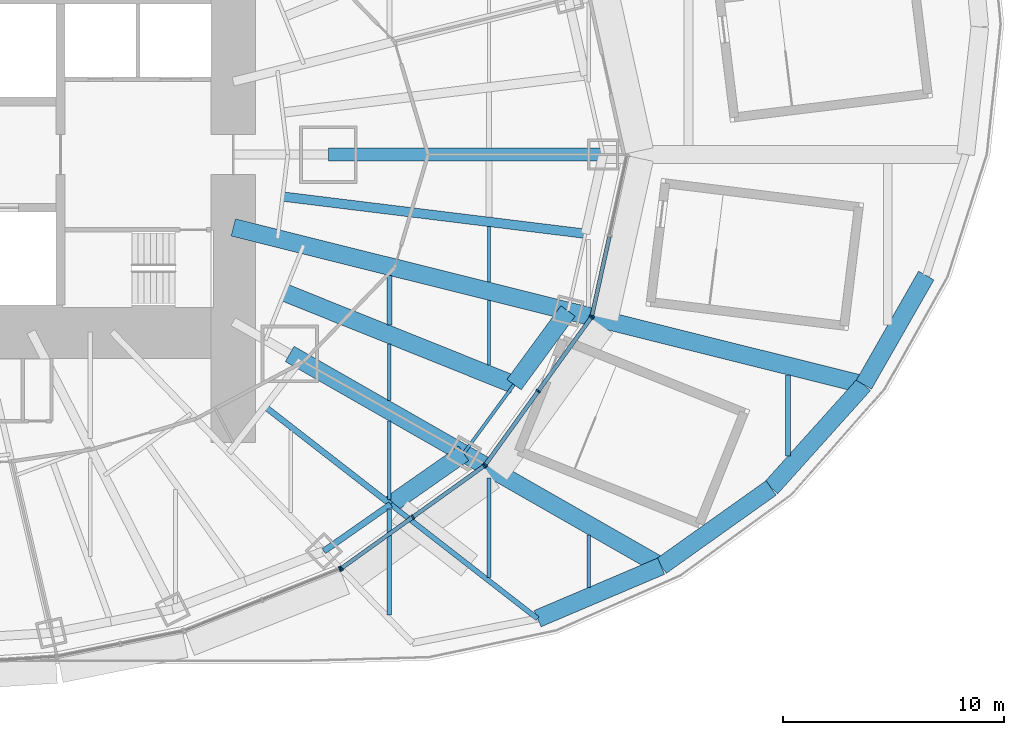
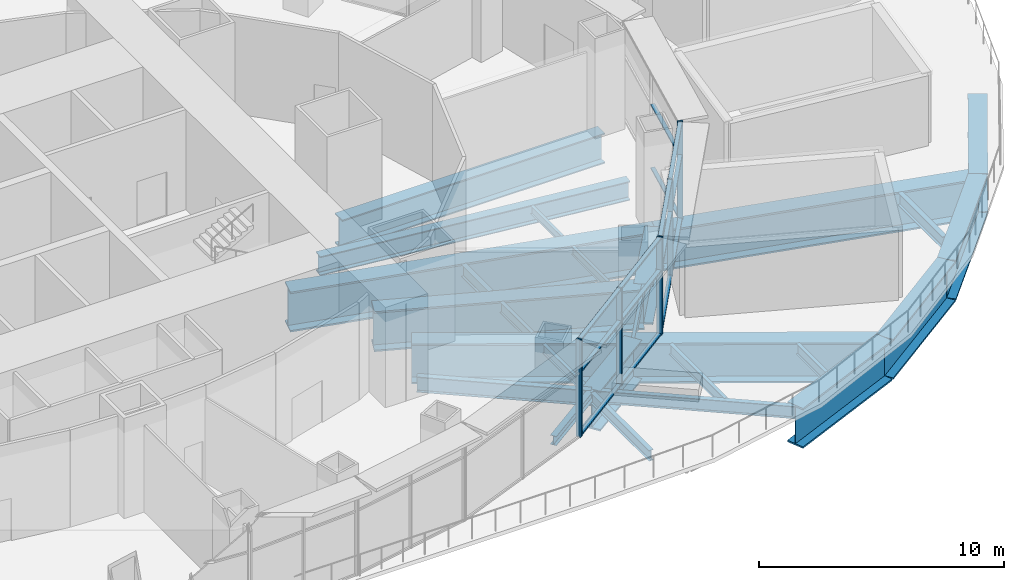
# One storey, part 10 of 25: 26 beams, 22 members, 4 elements without a shape of their own.
"""IFC4 building model written with IfcOpenShell, lengths in metres."""

from ifc_helpers import new_model, si_unit, direction, frame, origin, origin_2d, place, context, subcontext, project, spatial, rectangle, i_section, extrude, material, material_profile, profile_set, type_object, element, aggregate, save


model = new_model("IFC4")

# Units and contexts
model_context = context("Model", 3, precision=1e-05, world=origin(), true_north=direction((0.0, 1.0)))
body_context = subcontext(model_context, "Body", "Model", "MODEL_VIEW")
ifc_project = project(units=[si_unit("LENGTHUNIT", "METRE"), si_unit("AREAUNIT", "SQUARE_METRE"), si_unit("VOLUMEUNIT", "CUBIC_METRE"), si_unit("PLANEANGLEUNIT", "RADIAN"), si_unit("MASSUNIT", "GRAM", prefix="KILO")], contexts=[model_context])

# Site, building, storey
site_placement = place(None, origin())
site = spatial("IfcSite", under=ifc_project, at=site_placement, CompositionType="ELEMENT")
building_placement = place(site_placement, origin())
building = spatial("IfcBuilding", under=site, at=building_placement, Name="Lantaw Convention Tower", CompositionType="ELEMENT")
storey_placement = place(building_placement, frame((0.0, 0.0, 32.0)))
storey = spatial("IfcBuildingStorey", under=building, at=storey_placement, Name="L05", CompositionType="ELEMENT", Elevation=32.0)

# Beams
ifc_material_1 = material(Name="Steel ASTM A572 Grade 50", Category="steel")
ifc_material_profile_1 = material_profile(ifc_material_1, i_section(OverallWidth=0.800048828125, OverallDepth=2.0, WebThickness=0.030029296875, FlangeThickness=0.080078125, at=origin_2d()), Name="PG2000X800X30X80")
ifc_profile_set_1 = profile_set([ifc_material_profile_1], Name="Steel ASTM A572 Grade 50")
beam_type_1 = type_object("IfcBeamType", Name="Beam E PG2000X800X30X80", PredefinedType="SPANDREL", material=ifc_profile_set_1)
beam_1_placement = place(storey_placement, frame((20.308837890625, -15.794189453125, -1.199951171875), z_axis=(0.81942291701, 0.57318939547, 0.0), x_axis=(-0.57318939547, 0.81942291701, 0.0)))
element("IfcBeam", 1, at=beam_1_placement, inside=storey, type_object=beam_type_1, Name="Edge beam 22", PredefinedType="SPANDREL", context=body_context, shape_type="SweptSolid", body=[
    extrude(i_section(OverallWidth=0.800048828125, OverallDepth=2.0, WebThickness=0.030029296875, FlangeThickness=0.080078125, at=origin_2d()), origin(), (0.0, 0.0, 1.0), 4.0224609375),
])
beam_2_placement = place(storey_placement, frame((25.8779296875, -10.388427734375, -1.199951171875), z_axis=(0.591255937291, 0.806483984105, 0.0), x_axis=(-0.806483984105, 0.591255937291, 0.0)))
element("IfcBeam", 2, at=beam_2_placement, inside=storey, type_object=beam_type_1, Name="Edge beam 23", PredefinedType="SPANDREL", context=body_context, shape_type="SweptSolid", body=[
    extrude(i_section(OverallWidth=0.800048828125, OverallDepth=2.0, WebThickness=0.030029296875, FlangeThickness=0.080078125, at=origin_2d()), origin(), (0.0, 0.0, 1.0), 4.126708984375),
])
beam_3_placement = place(storey_placement, frame((26.94287109375, -20.95361328125, -1.199951171875), z_axis=(0.920324392734, 0.391155994636, 0.0), x_axis=(-0.391155994636, 0.920324392734, 0.0)))
element("IfcBeam", 3, at=beam_3_placement, inside=storey, type_object=beam_type_1, Name="Podium edge beam B21", PredefinedType="SPANDREL", context=body_context, shape_type="SweptSolid", body=[
    extrude(i_section(OverallWidth=0.800048828125, OverallDepth=2.0, WebThickness=0.030029296875, FlangeThickness=0.080078125, at=origin_2d()), origin(), (0.0, 0.0, 1.0), 6.060546875),
])
beam_4_placement = place(storey_placement, frame((32.5205078125, -18.5830078125, -1.199951171875), z_axis=(0.814722795246, 0.579850641895, 0.0), x_axis=(-0.579850641895, 0.814722795246, 0.0)))
element("IfcBeam", 4, at=beam_4_placement, inside=storey, type_object=beam_type_1, Name="Podium edge beam R22", PredefinedType="SPANDREL", context=body_context, shape_type="SweptSolid", body=[
    extrude(i_section(OverallWidth=0.800048828125, OverallDepth=2.0, WebThickness=0.030029296875, FlangeThickness=0.080078125, at=origin_2d()), origin(), (0.0, 0.0, 1.0), 6.095458984375),
])
beam_5_placement = place(storey_placement, frame((37.486572265625, -15.048583984375, -1.199951171875), z_axis=(0.668363614772, 0.74383471178, 0.0), x_axis=(-0.74383471178, 0.668363614772, 0.0)))
element("IfcBeam", 5, at=beam_5_placement, inside=storey, type_object=beam_type_1, Name="Podium edge beam B22", PredefinedType="SPANDREL", context=body_context, shape_type="SweptSolid", body=[
    extrude(i_section(OverallWidth=0.800048828125, OverallDepth=2.0, WebThickness=0.030029296875, FlangeThickness=0.080078125, at=origin_2d()), origin(), (0.0, 0.0, 1.0), 6.2626953125),
])
beam_6_placement = place(storey_placement, frame((41.67236328125, -10.39013671875, -1.199951171875), z_axis=(0.496180629465, 0.868219317306, 0.0), x_axis=(-0.868219317306, 0.496180629465, 0.0)))
element("IfcBeam", 6, at=beam_6_placement, inside=storey, type_object=beam_type_1, Name="Podium edge beam R23", PredefinedType="SPANDREL", context=body_context, shape_type="SweptSolid", body=[
    extrude(i_section(OverallWidth=0.800048828125, OverallDepth=2.0, WebThickness=0.030029296875, FlangeThickness=0.080078125, at=origin_2d()), origin(), (0.0, 0.0, 1.0), 5.67578125),
])
ifc_material_2 = material(Name="Steel ASTM A992", Category="steel")
ifc_material_profile_2 = material_profile(ifc_material_2, i_section(OverallWidth=0.140380859375, OverallDepth=0.40380859375, WebThickness=0.007080078125, FlangeThickness=0.01123046875, FilletRadius=0.01025390625, at=origin_2d()), Name="W16X31")
ifc_profile_set_2 = profile_set([ifc_material_profile_2], Name="Steel ASTM A992")
beam_type_2 = type_object("IfcBeamType", Name="Beam E W16X31", PredefinedType="SPANDREL", material=ifc_profile_set_2)
beam_7_placement = place(storey_placement, frame((23.60498046875, -13.488525390625, -0.40185546875), z_axis=(0.591286566758, 0.806461527893, 0.0), x_axis=(-0.806461527893, 0.591286566758, 0.0)))
element("IfcBeam", 7, at=beam_7_placement, inside=storey, type_object=beam_type_2, Name="Edge beam 23", PredefinedType="SPANDREL", context=body_context, shape_type="SweptSolid", body=[
    extrude(i_section(OverallWidth=0.140380859375, OverallDepth=0.40380859375, WebThickness=0.007080078125, FlangeThickness=0.01123046875, FilletRadius=0.01025390625, at=origin_2d()), origin(), (0.0, 0.0, 1.0), 3.843994140625),
])
ifc_material_profile_3 = material_profile(ifc_material_2, i_section(OverallWidth=0.279296875, OverallDepth=0.462158203125, WebThickness=0.0107421875, FlangeThickness=0.017333984375, FilletRadius=0.01025390625, at=origin_2d()), Name="W18X76")
ifc_profile_set_3 = profile_set([ifc_material_profile_3], Name="Steel ASTM A992")
beam_type_3 = type_object("IfcBeamType", Name="Beam E W18X76", PredefinedType="SPANDREL", material=ifc_profile_set_3)
beam_8_placement = place(storey_placement, frame((17.290771484375, -17.9052734375, -0.43115234375), z_axis=(0.819431174801, 0.573177590075, 0.0), x_axis=(-0.573177590075, 0.819431174801, 0.0)))
element("IfcBeam", 8, at=beam_8_placement, inside=storey, type_object=beam_type_3, Name="Edge beam 22", PredefinedType="SPANDREL", context=body_context, shape_type="SweptSolid", body=[
    extrude(i_section(OverallWidth=0.279296875, OverallDepth=0.462158203125, WebThickness=0.0107421875, FlangeThickness=0.017333984375, FilletRadius=0.01025390625, at=origin_2d()), origin(), (0.0, 0.0, 1.0), 3.68310546875),
])
ifc_material_profile_4 = material_profile(ifc_material_1, i_section(OverallWidth=0.60009765625, OverallDepth=1.5, WebThickness=0.02490234375, FlangeThickness=0.06005859375, at=origin_2d()), Name="PG1500X600X25X60")
ifc_profile_set_4 = profile_set([ifc_material_profile_4], Name="Steel ASTM A572 Grade 50")
beam_type_4 = type_object("IfcBeamType", Name="Beam G PG1500X600X25X60", PredefinedType="BEAM", material=ifc_profile_set_4)
beam_9_placement = place(storey_placement, frame((17.5, 0.0, -0.949951171875), z_axis=(1.0, 0.0, 0.0), x_axis=(0.0, 1.0, 0.0)))
element("IfcBeam", 9, at=beam_9_placement, inside=storey, type_object=beam_type_4, Name="Floor girder on ray 1", PredefinedType="BEAM", context=body_context, shape_type="SweptSolid", body=[
    extrude(i_section(OverallWidth=0.60009765625, OverallDepth=1.5, WebThickness=0.02490234375, FlangeThickness=0.06005859375, at=origin_2d()), origin(), (0.0, 0.0, 1.0), 12.39990234375),
])
ifc_material_profile_5 = material_profile(ifc_material_1, i_section(OverallWidth=0.800048828125, OverallDepth=2.0, WebThickness=0.030029296875, FlangeThickness=0.080078125, at=origin_2d()), Name="PG2000X800X30X80")
ifc_profile_set_5 = profile_set([ifc_material_profile_5], Name="Steel ASTM A572 Grade 50")
beam_type_5 = type_object("IfcBeamType", Name="Beam G PG2000X800X30X80", PredefinedType="BEAM", material=ifc_profile_set_5)
beam_10_placement = place(storey_placement, frame((15.75, -9.0, -1.199951171875), z_axis=(0.868244802791, -0.496136032179, 0.0), x_axis=(0.496136032179, 0.868244802791, 0.0)))
element("IfcBeam", 10, at=beam_10_placement, inside=storey, type_object=beam_type_5, Name="Floor girder on ray 23", PredefinedType="BEAM", context=body_context, shape_type="SweptSolid", body=[
    extrude(i_section(OverallWidth=0.800048828125, OverallDepth=2.0, WebThickness=0.030029296875, FlangeThickness=0.080078125, at=origin_2d()), origin(), (0.0, 0.0, 1.0), 9.046875),
])
beam_11_placement = place(storey_placement, frame((15.52001953125, -6.230224609375, -1.199951171875), z_axis=(0.928011337871, -0.37255195179, 0.0), x_axis=(0.37255195179, 0.928011337871, 0.0)))
element("IfcBeam", 11, at=beam_11_placement, inside=storey, type_object=beam_type_5, Name="Floor girder on bisector 23", PredefinedType="BEAM", context=body_context, shape_type="SweptSolid", body=[
    extrude(i_section(OverallWidth=0.800048828125, OverallDepth=2.0, WebThickness=0.030029296875, FlangeThickness=0.080078125, at=origin_2d()), origin(), (0.0, 0.0, 1.0), 11.161376953125),
])
beam_12_placement = place(storey_placement, frame((13.199951171875, -3.291015625, -1.199951171875), z_axis=(0.970296233567, -0.241919860957, 0.0), x_axis=(0.241919860957, 0.970296233567, 0.0)))
element("IfcBeam", 12, at=beam_12_placement, inside=storey, type_object=beam_type_5, Name="Floor girder on ray 24", PredefinedType="BEAM", context=body_context, shape_type="SweptSolid", body=[
    extrude(i_section(OverallWidth=0.800048828125, OverallDepth=2.0, WebThickness=0.030029296875, FlangeThickness=0.080078125, at=origin_2d()), origin(), (0.0, 0.0, 1.0), 15.580810546875),
])
ifc_material_profile_6 = material_profile(ifc_material_2, i_section(OverallWidth=0.2666015625, OverallDepth=0.76953125, WebThickness=0.015625, FlangeThickness=0.025390625, FilletRadius=0.0126953125, at=origin_2d()), Name="W30X132")
ifc_profile_set_6 = profile_set([ifc_material_profile_6], Name="Steel ASTM A992")
beam_type_6 = type_object("IfcBeamType", Name="Beam G W30X132", PredefinedType="BEAM", material=ifc_profile_set_6)
beam_13_placement = place(storey_placement, frame((14.628173828125, -11.37646484375, -0.584716796875), z_axis=(0.789390578332, -0.613891289106, 0.0), x_axis=(0.613891289106, 0.789390578332, 0.0)))
element("IfcBeam", 13, at=beam_13_placement, inside=storey, type_object=beam_type_6, Name="Floor girder on bisector 22", PredefinedType="BEAM", context=body_context, shape_type="SweptSolid", body=[
    extrude(i_section(OverallWidth=0.2666015625, OverallDepth=0.76953125, WebThickness=0.015625, FlangeThickness=0.025390625, FilletRadius=0.0126953125, at=origin_2d()), origin(), (0.0, 0.0, 1.0), 7.1962890625),
])
ifc_material_profile_7 = material_profile(ifc_material_2, i_section(OverallWidth=0.424072265625, OverallDepth=0.947509765625, WebThickness=0.02392578125, FlangeThickness=0.042724609375, FilletRadius=0.012451171875, at=origin_2d()), Name="W36X302")
ifc_profile_set_7 = profile_set([ifc_material_profile_7], Name="Steel ASTM A992")
beam_type_7 = type_object("IfcBeamType", Name="Beam G W36X302", PredefinedType="BEAM", material=ifc_profile_set_7)
beam_14_placement = place(storey_placement, frame((15.433349609375, -1.89501953125, -0.673828125), z_axis=(0.99254612715, -0.121869542874, 0.0), x_axis=(0.121869542874, 0.99254612715, 0.0)))
element("IfcBeam", 14, at=beam_14_placement, inside=storey, type_object=beam_type_7, Name="Floor girder on bisector 24", PredefinedType="BEAM", context=body_context, shape_type="SweptSolid", body=[
    extrude(i_section(OverallWidth=0.424072265625, OverallDepth=0.947509765625, WebThickness=0.02392578125, FlangeThickness=0.042724609375, FilletRadius=0.012451171875, at=origin_2d()), origin(), (0.0, 0.0, 1.0), 13.7685546875),
])
ifc_material_profile_8 = material_profile(ifc_material_2, i_section(OverallWidth=0.140380859375, OverallDepth=0.40380859375, WebThickness=0.007080078125, FlangeThickness=0.01123046875, FilletRadius=0.01025390625, at=origin_2d()), Name="W16X31")
ifc_profile_set_8 = profile_set([ifc_material_profile_8], Name="Steel ASTM A992")
beam_type_8 = type_object("IfcBeamType", Name="Beam J W16X31", PredefinedType="JOIST", material=ifc_profile_set_8)
beam_15_placement = place(storey_placement, frame((24.75, -9.504638671875, -0.40185546875), z_axis=(0.0, 1.0, 0.0), x_axis=(-1.0, 0.0, 0.0)))
element("IfcBeam", 15, at=beam_15_placement, inside=storey, type_object=beam_type_8, Name="Floor joist", PredefinedType="JOIST", context=body_context, shape_type="SweptSolid", body=[
    extrude(i_section(OverallWidth=0.140380859375, OverallDepth=0.40380859375, WebThickness=0.007080078125, FlangeThickness=0.01123046875, FilletRadius=0.01025390625, at=origin_2d()), origin(), (0.0, 0.0, 1.0), 2.921630859375),
])
beam_16_placement = place(storey_placement, frame((24.75, -5.758544921875, -0.40185546875), z_axis=(0.0, 1.0, 0.0), x_axis=(-1.0, 0.0, 0.0)))
element("IfcBeam", 16, at=beam_16_placement, inside=storey, type_object=beam_type_8, Name="Floor joist", PredefinedType="JOIST", context=body_context, shape_type="SweptSolid", body=[
    extrude(i_section(OverallWidth=0.140380859375, OverallDepth=0.40380859375, WebThickness=0.007080078125, FlangeThickness=0.01123046875, FilletRadius=0.01025390625, at=origin_2d()), origin(), (0.0, 0.0, 1.0), 2.505859375),
])
ifc_material_profile_9 = material_profile(ifc_material_2, i_section(OverallWidth=0.15234375, OverallDepth=0.449462890625, WebThickness=0.007568359375, FlangeThickness=0.0107421875, FilletRadius=0.01025390625, at=origin_2d()), Name="W18X35")
ifc_profile_set_9 = profile_set([ifc_material_profile_9], Name="Steel ASTM A992")
beam_type_9 = type_object("IfcBeamType", Name="Beam J W18X35", PredefinedType="JOIST", material=ifc_profile_set_9)
beam_17_placement = place(storey_placement, frame((20.25, -15.57958984375, -0.4248046875), z_axis=(0.0, 1.0, 0.0), x_axis=(-1.0, 0.0, 0.0)))
element("IfcBeam", 17, at=beam_17_placement, inside=storey, type_object=beam_type_9, Name="Floor joist", PredefinedType="JOIST", context=body_context, shape_type="SweptSolid", body=[
    extrude(i_section(OverallWidth=0.15234375, OverallDepth=0.449462890625, WebThickness=0.007568359375, FlangeThickness=0.0107421875, FilletRadius=0.01025390625, at=origin_2d()), origin(), (0.0, 0.0, 1.0), 3.54736328125),
])
ifc_material_profile_10 = material_profile(ifc_material_2, i_section(OverallWidth=0.1650390625, OverallDepth=0.52587890625, WebThickness=0.0087890625, FlangeThickness=0.011474609375, FilletRadius=0.0126953125, at=origin_2d()), Name="W21X44")
ifc_profile_set_10 = profile_set([ifc_material_profile_10], Name="Steel ASTM A992")
beam_type_10 = type_object("IfcBeamType", Name="Beam J W21X44", PredefinedType="JOIST", material=ifc_profile_set_10)
beam_18_placement = place(storey_placement, frame((20.25, -11.11083984375, -0.462890625), z_axis=(0.0, 1.0, 0.0), x_axis=(-1.0, 0.0, 0.0)))
element("IfcBeam", 18, at=beam_18_placement, inside=storey, type_object=beam_type_10, Name="Floor joist", PredefinedType="JOIST", context=body_context, shape_type="SweptSolid", body=[
    extrude(i_section(OverallWidth=0.1650390625, OverallDepth=0.52587890625, WebThickness=0.0087890625, FlangeThickness=0.011474609375, FilletRadius=0.0126953125, at=origin_2d()), origin(), (0.0, 0.0, 1.0), 2.55078125),
])
beam_19_placement = place(storey_placement, frame((24.75, -19.10302734375, -0.462890625), z_axis=(0.0, 1.0, 0.0), x_axis=(-1.0, 0.0, 0.0)))
element("IfcBeam", 19, at=beam_19_placement, inside=storey, type_object=beam_type_10, Name="Floor joist", PredefinedType="JOIST", context=body_context, shape_type="SweptSolid", body=[
    extrude(i_section(OverallWidth=0.1650390625, OverallDepth=0.52587890625, WebThickness=0.0087890625, FlangeThickness=0.011474609375, FilletRadius=0.0126953125, at=origin_2d()), origin(), (0.0, 0.0, 1.0), 4.49951171875),
])
beam_20_placement = place(storey_placement, frame((29.25, -19.53857421875, -0.462890625), z_axis=(0.0, 1.0, 0.0), x_axis=(-1.0, 0.0, 0.0)))
element("IfcBeam", 20, at=beam_20_placement, inside=storey, type_object=beam_type_10, Name="Floor joist", PredefinedType="JOIST", context=body_context, shape_type="SweptSolid", body=[
    extrude(i_section(OverallWidth=0.1650390625, OverallDepth=0.52587890625, WebThickness=0.0087890625, FlangeThickness=0.011474609375, FilletRadius=0.0126953125, at=origin_2d()), origin(), (0.0, 0.0, 1.0), 2.363525390625),
])
ifc_material_profile_11 = material_profile(ifc_material_2, i_section(OverallWidth=0.209228515625, OverallDepth=0.533447265625, WebThickness=0.01025390625, FlangeThickness=0.015625, FilletRadius=0.012939453125, at=origin_2d()), Name="W21X62")
ifc_profile_set_11 = profile_set([ifc_material_profile_11], Name="Steel ASTM A992")
beam_type_11 = type_object("IfcBeamType", Name="Beam J W21X62", PredefinedType="JOIST", material=ifc_profile_set_11)
beam_21_placement = place(storey_placement, frame((20.25, -20.784912109375, -0.466796875), z_axis=(0.0, 1.0, 0.0), x_axis=(-1.0, 0.0, 0.0)))
element("IfcBeam", 21, at=beam_21_placement, inside=storey, type_object=beam_type_11, Name="Floor joist", PredefinedType="JOIST", context=body_context, shape_type="SweptSolid", body=[
    extrude(i_section(OverallWidth=0.209228515625, OverallDepth=0.533447265625, WebThickness=0.01025390625, FlangeThickness=0.015625, FilletRadius=0.012939453125, at=origin_2d()), origin(), (0.0, 0.0, 1.0), 4.779052734375),
])
ifc_material_profile_12 = material_profile(ifc_material_2, i_section(OverallWidth=0.227783203125, OverallDepth=0.60205078125, WebThickness=0.010498046875, FlangeThickness=0.014892578125, FilletRadius=0.012939453125, at=origin_2d()), Name="W24X68")
ifc_profile_set_12 = profile_set([ifc_material_profile_12], Name="Steel ASTM A992")
beam_type_12 = type_object("IfcBeamType", Name="Beam J W24X68", PredefinedType="JOIST", material=ifc_profile_set_12)
beam_22_placement = place(storey_placement, frame((20.25, -7.697998046875, -0.5009765625), z_axis=(0.0, 1.0, 0.0), x_axis=(-1.0, 0.0, 0.0)))
element("IfcBeam", 22, at=beam_22_placement, inside=storey, type_object=beam_type_12, Name="Floor joist", PredefinedType="JOIST", context=body_context, shape_type="SweptSolid", body=[
    extrude(i_section(OverallWidth=0.227783203125, OverallDepth=0.60205078125, WebThickness=0.010498046875, FlangeThickness=0.014892578125, FilletRadius=0.012939453125, at=origin_2d()), origin(), (0.0, 0.0, 1.0), 2.23681640625),
])
ifc_material_profile_13 = material_profile(ifc_material_2, i_section(OverallWidth=0.22900390625, OverallDepth=0.612060546875, WebThickness=0.011962890625, FlangeThickness=0.01953125, FilletRadius=0.0126953125, at=origin_2d()), Name="W24X84")
ifc_profile_set_13 = profile_set([ifc_material_profile_13], Name="Steel ASTM A992")
beam_type_13 = type_object("IfcBeamType", Name="Beam J W24X84", PredefinedType="JOIST", material=ifc_profile_set_13)
beam_23_placement = place(storey_placement, frame((38.25, -13.600341796875, -0.506103515625), z_axis=(0.0, 1.0, 0.0), x_axis=(-1.0, 0.0, 0.0)))
element("IfcBeam", 23, at=beam_23_placement, inside=storey, type_object=beam_type_13, Name="Floor joist", PredefinedType="JOIST", context=body_context, shape_type="SweptSolid", body=[
    extrude(i_section(OverallWidth=0.22900390625, OverallDepth=0.612060546875, WebThickness=0.011962890625, FlangeThickness=0.01953125, FilletRadius=0.0126953125, at=origin_2d()), origin(), (0.0, 0.0, 1.0), 3.6513671875),
])
ifc_material_profile_14 = material_profile(ifc_material_1, i_section(OverallWidth=0.800048828125, OverallDepth=2.0, WebThickness=0.030029296875, FlangeThickness=0.080078125, at=origin_2d()), Name="PG2000X800X30X80")
ifc_profile_set_14 = profile_set([ifc_material_profile_14], Name="Steel ASTM A572 Grade 50")
beam_type_14 = type_object("IfcBeamType", Name="Beam PG PG2000X800X30X80", PredefinedType="BEAM", material=ifc_profile_set_14)
beam_24_placement = place(storey_placement, frame((23.60498046875, -13.488525390625, -1.199951171875), z_axis=(0.868247531483, -0.4961312569, 0.0), x_axis=(0.4961312569, 0.868247531483, 0.0)))
element("IfcBeam", 24, at=beam_24_placement, inside=storey, type_object=beam_type_14, Name="Podium girder PR23", PredefinedType="BEAM", context=body_context, shape_type="SweptSolid", body=[
    extrude(i_section(OverallWidth=0.800048828125, OverallDepth=2.0, WebThickness=0.030029296875, FlangeThickness=0.080078125, at=origin_2d()), origin(), (0.0, 0.0, 1.0), 10.268310546875),
])
beam_25_placement = place(storey_placement, frame((28.31787109375, -7.060302734375, -1.199951171875), z_axis=(0.97029256898, -0.24193455847, 0.0), x_axis=(0.24193455847, 0.97029256898, 0.0)))
element("IfcBeam", 25, at=beam_25_placement, inside=storey, type_object=beam_type_14, Name="Podium girder PR24", PredefinedType="BEAM", context=body_context, shape_type="SweptSolid", body=[
    extrude(i_section(OverallWidth=0.800048828125, OverallDepth=2.0, WebThickness=0.030029296875, FlangeThickness=0.080078125, at=origin_2d()), origin(), (0.0, 0.0, 1.0), 13.763427734375),
])
ifc_material_profile_15 = material_profile(ifc_material_2, i_section(OverallWidth=0.22900390625, OverallDepth=0.612060546875, WebThickness=0.011962890625, FlangeThickness=0.01953125, FilletRadius=0.0126953125, at=origin_2d()), Name="W24X84")
ifc_profile_set_15 = profile_set([ifc_material_profile_15], Name="Steel ASTM A992")
beam_type_15 = type_object("IfcBeamType", Name="Beam PG W24X84", PredefinedType="BEAM", material=ifc_profile_set_15)
beam_26_placement = place(storey_placement, frame((20.308837890625, -15.794189453125, -0.506103515625), z_axis=(0.789374116062, -0.613912457025, 0.0), x_axis=(0.613912457025, 0.789374116062, 0.0)))
element("IfcBeam", 26, at=beam_26_placement, inside=storey, type_object=beam_type_15, Name="Podium girder PB22", PredefinedType="BEAM", context=body_context, shape_type="SweptSolid", body=[
    extrude(i_section(OverallWidth=0.22900390625, OverallDepth=0.612060546875, WebThickness=0.011962890625, FlangeThickness=0.01953125, FilletRadius=0.0126953125, at=origin_2d()), origin(), (0.0, 0.0, 1.0), 8.404052734375),
])

# Curtain wall, member
ifc_material_3 = material(Name="Aluminium framed curtain wall", Category="aluminium")
curtain_wall_type = type_object("IfcCurtainWallType", Name="Sky lobby curtain wall L05, pale aluminium", PredefinedType="USERDEFINED", material=ifc_material_3)
curtain_wall_1_placement = place(storey_placement, origin())
curtain_wall_1 = element("IfcCurtainWall", 27, at=curtain_wall_1_placement, inside=storey, type_object=curtain_wall_type, Name="Sky lobby curtain wall L05, pale aluminium L05", ObjectType="STICK CURTAIN WALL", PredefinedType="USERDEFINED")
ifc_material_4 = material(Name="Aluminium 6063-T6", Category="aluminium")
ifc_material_profile_16 = material_profile(ifc_material_4, rectangle(XDim=0.22509765625, YDim=0.074951171875, at=origin_2d()), Name="CW-HL mullion 75x225")
ifc_profile_set_16 = profile_set([ifc_material_profile_16], Name="Aluminium 6063-T6")
member_type_1 = type_object("IfcMemberType", Name="CW-HL mullion 75x225", PredefinedType="MULLION", material=ifc_profile_set_16)
member_1_placement = place(storey_placement, frame((18.02001953125, -18.710205078125, 0.0), z_axis=(0.0, 0.0, 1.0), x_axis=(-0.369171840425, 0.929361152748, 0.0)))
member_1 = element("IfcMember", 28, at=member_1_placement, type_object=member_type_1, Name="CW-HL mullion 3", PredefinedType="MULLION", context=body_context, shape_type="SweptSolid", body=[
    extrude(rectangle(XDim=0.22509765625, YDim=0.074951171875, at=origin_2d()), origin(), (0.0, 0.0, 1.0), 4.85009765625),
])
aggregate(curtain_wall_1, [member_1])

# Curtain wall, members
curtain_wall_2_placement = place(storey_placement, origin())
curtain_wall_2 = element("IfcCurtainWall", 29, at=curtain_wall_2_placement, inside=storey, type_object=curtain_wall_type, Name="Sky lobby curtain wall L05, pale aluminium L05", ObjectType="STICK CURTAIN WALL", PredefinedType="USERDEFINED")
member_2_placement = place(storey_placement, frame((18.08544921875, -18.674560546875, 0.0), z_axis=(0.0, 0.0, 1.0), x_axis=(-0.5825376308, 0.812803733199, 0.0)))
member_2 = element("IfcMember", 30, at=member_2_placement, type_object=member_type_1, Name="CW-HL mullion 1", PredefinedType="MULLION", context=body_context, shape_type="SweptSolid", body=[
    extrude(rectangle(XDim=0.22509765625, YDim=0.074951171875, at=origin_2d()), origin(), (0.0, 0.0, 1.0), 4.85009765625),
])
member_3_placement = place(storey_placement, frame((21.307373046875, -16.365478515625, 0.0), z_axis=(0.0, 0.0, 1.0), x_axis=(-0.5825376308, 0.812803733199, 0.0)))
member_3 = element("IfcMember", 31, at=member_3_placement, type_object=member_type_1, Name="CW-HL mullion 2", PredefinedType="MULLION", context=body_context, shape_type="SweptSolid", body=[
    extrude(rectangle(XDim=0.22509765625, YDim=0.074951171875, at=origin_2d()), origin(), (0.0, 0.0, 1.0), 4.85009765625),
])
member_4_placement = place(storey_placement, frame((24.529541015625, -14.05615234375, 0.0), z_axis=(0.0, 0.0, 1.0), x_axis=(-0.5825376308, 0.812803733199, 0.0)))
member_4 = element("IfcMember", 32, at=member_4_placement, type_object=member_type_1, Name="CW-HL mullion 3", PredefinedType="MULLION", context=body_context, shape_type="SweptSolid", body=[
    extrude(rectangle(XDim=0.22509765625, YDim=0.074951171875, at=origin_2d()), origin(), (0.0, 0.0, 1.0), 4.85009765625),
])

curtain_wall_3_placement = place(storey_placement, origin())
curtain_wall_3 = element("IfcCurtainWall", 33, at=curtain_wall_3_placement, inside=storey, type_object=curtain_wall_type, Name="Sky lobby curtain wall L05, pale aluminium L05", ObjectType="STICK CURTAIN WALL", PredefinedType="USERDEFINED")
member_5_placement = place(storey_placement, frame((24.581787109375, -14.00390625, 0.0), z_axis=(0.0, 0.0, 1.0), x_axis=(-0.811788726895, 0.583951250436, 0.0)))
member_5 = element("IfcMember", 34, at=member_5_placement, type_object=member_type_1, Name="CW-HL mullion 1", PredefinedType="MULLION", context=body_context, shape_type="SweptSolid", body=[
    extrude(rectangle(XDim=0.22509765625, YDim=0.074951171875, at=origin_2d()), origin(), (0.0, 0.0, 1.0), 4.85009765625),
])
member_6_placement = place(storey_placement, frame((26.97265625, -10.680419921875, 0.0), z_axis=(0.0, 0.0, 1.0), x_axis=(-0.811788726895, 0.583951250436, 0.0)))
member_6 = element("IfcMember", 35, at=member_6_placement, type_object=member_type_1, Name="CW-HL mullion 2", PredefinedType="MULLION", context=body_context, shape_type="SweptSolid", body=[
    extrude(rectangle(XDim=0.22509765625, YDim=0.074951171875, at=origin_2d()), origin(), (0.0, 0.0, 1.0), 4.85009765625),
])
member_7_placement = place(storey_placement, frame((29.36328125, -7.35693359375, 0.0), z_axis=(0.0, 0.0, 1.0), x_axis=(-0.811788726895, 0.583951250436, 0.0)))
member_7 = element("IfcMember", 36, at=member_7_placement, type_object=member_type_1, Name="CW-HL mullion 3", PredefinedType="MULLION", context=body_context, shape_type="SweptSolid", body=[
    extrude(rectangle(XDim=0.22509765625, YDim=0.074951171875, at=origin_2d()), origin(), (0.0, 0.0, 1.0), 4.85009765625),
])

# Curtain wall, member
curtain_wall_4_placement = place(storey_placement, origin())
curtain_wall_4 = element("IfcCurtainWall", 37, at=curtain_wall_4_placement, inside=storey, type_object=curtain_wall_type, Name="Sky lobby curtain wall L05, pale aluminium L05", ObjectType="STICK CURTAIN WALL", PredefinedType="USERDEFINED")
member_8_placement = place(storey_placement, frame((29.393310546875, -7.2900390625, 0.0), z_axis=(0.0, 0.0, 1.0), x_axis=(-0.976559847223, 0.215246056391, 0.0)))
member_8 = element("IfcMember", 38, at=member_8_placement, type_object=member_type_1, Name="CW-HL mullion 1", PredefinedType="MULLION", context=body_context, shape_type="SweptSolid", body=[
    extrude(rectangle(XDim=0.22509765625, YDim=0.074951171875, at=origin_2d()), origin(), (0.0, 0.0, 1.0), 4.85009765625),
])

# Member
ifc_material_profile_17 = material_profile(ifc_material_4, rectangle(XDim=0.179931640625, YDim=0.074951171875, at=origin_2d()), Name="CW-HL transom 75x180")
ifc_profile_set_17 = profile_set([ifc_material_profile_17], Name="Aluminium 6063-T6")
member_type_2 = type_object("IfcMemberType", Name="CW-HL transom 75x180", PredefinedType="USERDEFINED", material=ifc_profile_set_17)
member_9_placement = place(storey_placement, frame((18.115966796875, -18.65283203125, 0.03759765625), z_axis=(0.812799293767, 0.582543825005, 0.0), x_axis=(-0.582543825005, 0.812799293767, 0.0)))
member_9 = element("IfcMember", 39, at=member_9_placement, type_object=member_type_2, Name="CW-HL transom 1.1", ObjectType="TRANSOM", PredefinedType="USERDEFINED", context=body_context, shape_type="SweptSolid", body=[
    extrude(rectangle(XDim=0.179931640625, YDim=0.074951171875, at=origin_2d()), origin(), (0.0, 0.0, 1.0), 3.88916015625),
])

member_10_placement = place(storey_placement, frame((18.115966796875, -18.65283203125, 3.199951171875), z_axis=(0.812799293767, 0.582543825005, 0.0), x_axis=(-0.582543825005, 0.812799293767, 0.0)))
member_10 = element("IfcMember", 40, at=member_10_placement, type_object=member_type_2, Name="CW-HL transom 1.2", ObjectType="TRANSOM", PredefinedType="USERDEFINED", context=body_context, shape_type="SweptSolid", body=[
    extrude(rectangle(XDim=0.179931640625, YDim=0.074951171875, at=origin_2d()), origin(), (0.0, 0.0, 1.0), 3.88916015625),
])

member_11_placement = place(storey_placement, frame((18.115966796875, -18.65283203125, 4.8125), z_axis=(0.812799293767, 0.582543825005, 0.0), x_axis=(-0.582543825005, 0.812799293767, 0.0)))
member_11 = element("IfcMember", 41, at=member_11_placement, type_object=member_type_2, Name="CW-HL transom 1.3", ObjectType="TRANSOM", PredefinedType="USERDEFINED", context=body_context, shape_type="SweptSolid", body=[
    extrude(rectangle(XDim=0.179931640625, YDim=0.074951171875, at=origin_2d()), origin(), (0.0, 0.0, 1.0), 3.88916015625),
])

member_12_placement = place(storey_placement, frame((21.337890625, -16.343505859375, 0.03759765625), z_axis=(0.812799293767, 0.582543825005, 0.0), x_axis=(-0.582543825005, 0.812799293767, 0.0)))
member_12 = element("IfcMember", 42, at=member_12_placement, type_object=member_type_2, Name="CW-HL transom 2.1", ObjectType="TRANSOM", PredefinedType="USERDEFINED", context=body_context, shape_type="SweptSolid", body=[
    extrude(rectangle(XDim=0.179931640625, YDim=0.074951171875, at=origin_2d()), origin(), (0.0, 0.0, 1.0), 3.88916015625),
])

member_13_placement = place(storey_placement, frame((21.337890625, -16.343505859375, 3.199951171875), z_axis=(0.812799293767, 0.582543825005, 0.0), x_axis=(-0.582543825005, 0.812799293767, 0.0)))
member_13 = element("IfcMember", 43, at=member_13_placement, type_object=member_type_2, Name="CW-HL transom 2.2", ObjectType="TRANSOM", PredefinedType="USERDEFINED", context=body_context, shape_type="SweptSolid", body=[
    extrude(rectangle(XDim=0.179931640625, YDim=0.074951171875, at=origin_2d()), origin(), (0.0, 0.0, 1.0), 3.88916015625),
])

member_14_placement = place(storey_placement, frame((21.337890625, -16.343505859375, 4.8125), z_axis=(0.812799293767, 0.582543825005, 0.0), x_axis=(-0.582543825005, 0.812799293767, 0.0)))
member_14 = element("IfcMember", 44, at=member_14_placement, type_object=member_type_2, Name="CW-HL transom 2.3", ObjectType="TRANSOM", PredefinedType="USERDEFINED", context=body_context, shape_type="SweptSolid", body=[
    extrude(rectangle(XDim=0.179931640625, YDim=0.074951171875, at=origin_2d()), origin(), (0.0, 0.0, 1.0), 3.88916015625),
])

aggregate(curtain_wall_2, [member_2, member_3, member_4, member_9, member_10, member_11, member_12, member_13, member_14])

member_15_placement = place(storey_placement, frame((24.603759765625, -13.973388671875, 0.03759765625), z_axis=(0.58397021033, 0.811775087969, 0.0), x_axis=(-0.811775087969, 0.58397021033, 0.0)))
member_15 = element("IfcMember", 45, at=member_15_placement, type_object=member_type_2, Name="CW-HL transom 1.1", ObjectType="TRANSOM", PredefinedType="USERDEFINED", context=body_context, shape_type="SweptSolid", body=[
    extrude(rectangle(XDim=0.179931640625, YDim=0.074951171875, at=origin_2d()), origin(), (0.0, 0.0, 1.0), 4.018798828125),
])

member_16_placement = place(storey_placement, frame((24.603759765625, -13.973388671875, 3.199951171875), z_axis=(0.58397021033, 0.811775087969, 0.0), x_axis=(-0.811775087969, 0.58397021033, 0.0)))
member_16 = element("IfcMember", 46, at=member_16_placement, type_object=member_type_2, Name="CW-HL transom 1.2", ObjectType="TRANSOM", PredefinedType="USERDEFINED", context=body_context, shape_type="SweptSolid", body=[
    extrude(rectangle(XDim=0.179931640625, YDim=0.074951171875, at=origin_2d()), origin(), (0.0, 0.0, 1.0), 4.018798828125),
])

member_17_placement = place(storey_placement, frame((24.603759765625, -13.973388671875, 4.8125), z_axis=(0.58397021033, 0.811775087969, 0.0), x_axis=(-0.811775087969, 0.58397021033, 0.0)))
member_17 = element("IfcMember", 47, at=member_17_placement, type_object=member_type_2, Name="CW-HL transom 1.3", ObjectType="TRANSOM", PredefinedType="USERDEFINED", context=body_context, shape_type="SweptSolid", body=[
    extrude(rectangle(XDim=0.179931640625, YDim=0.074951171875, at=origin_2d()), origin(), (0.0, 0.0, 1.0), 4.018798828125),
])

member_18_placement = place(storey_placement, frame((26.994384765625, -10.64990234375, 0.03759765625), z_axis=(0.58397021033, 0.811775087969, 0.0), x_axis=(-0.811775087969, 0.58397021033, 0.0)))
member_18 = element("IfcMember", 48, at=member_18_placement, type_object=member_type_2, Name="CW-HL transom 2.1", ObjectType="TRANSOM", PredefinedType="USERDEFINED", context=body_context, shape_type="SweptSolid", body=[
    extrude(rectangle(XDim=0.179931640625, YDim=0.074951171875, at=origin_2d()), origin(), (0.0, 0.0, 1.0), 4.018798828125),
])

member_19_placement = place(storey_placement, frame((26.994384765625, -10.64990234375, 3.199951171875), z_axis=(0.58397021033, 0.811775087969, 0.0), x_axis=(-0.811775087969, 0.58397021033, 0.0)))
member_19 = element("IfcMember", 49, at=member_19_placement, type_object=member_type_2, Name="CW-HL transom 2.2", ObjectType="TRANSOM", PredefinedType="USERDEFINED", context=body_context, shape_type="SweptSolid", body=[
    extrude(rectangle(XDim=0.179931640625, YDim=0.074951171875, at=origin_2d()), origin(), (0.0, 0.0, 1.0), 4.018798828125),
])

member_20_placement = place(storey_placement, frame((26.994384765625, -10.64990234375, 4.8125), z_axis=(0.58397021033, 0.811775087969, 0.0), x_axis=(-0.811775087969, 0.58397021033, 0.0)))
member_20 = element("IfcMember", 50, at=member_20_placement, type_object=member_type_2, Name="CW-HL transom 2.3", ObjectType="TRANSOM", PredefinedType="USERDEFINED", context=body_context, shape_type="SweptSolid", body=[
    extrude(rectangle(XDim=0.179931640625, YDim=0.074951171875, at=origin_2d()), origin(), (0.0, 0.0, 1.0), 4.018798828125),
])

aggregate(curtain_wall_3, [member_5, member_6, member_7, member_15, member_16, member_17, member_18, member_19, member_20])

member_21_placement = place(storey_placement, frame((29.4013671875, -7.25341796875, 0.03759765625), z_axis=(0.215239349511, 0.976561325479, 0.0), x_axis=(-0.976561325479, 0.215239349511, 0.0)))
member_21 = element("IfcMember", 51, at=member_21_placement, type_object=member_type_2, Name="CW-HL transom 1.1", ObjectType="TRANSOM", PredefinedType="USERDEFINED", context=body_context, shape_type="SweptSolid", body=[
    extrude(rectangle(XDim=0.179931640625, YDim=0.074951171875, at=origin_2d()), origin(), (0.0, 0.0, 1.0), 3.638671875),
])

member_22_placement = place(storey_placement, frame((29.4013671875, -7.25341796875, 3.199951171875), z_axis=(0.215239349511, 0.976561325479, 0.0), x_axis=(-0.976561325479, 0.215239349511, 0.0)))
member_22 = element("IfcMember", 52, at=member_22_placement, type_object=member_type_2, Name="CW-HL transom 1.2", ObjectType="TRANSOM", PredefinedType="USERDEFINED", context=body_context, shape_type="SweptSolid", body=[
    extrude(rectangle(XDim=0.179931640625, YDim=0.074951171875, at=origin_2d()), origin(), (0.0, 0.0, 1.0), 3.638671875),
])

aggregate(curtain_wall_4, [member_8, member_21, member_22])

save(model, "model.ifc")
